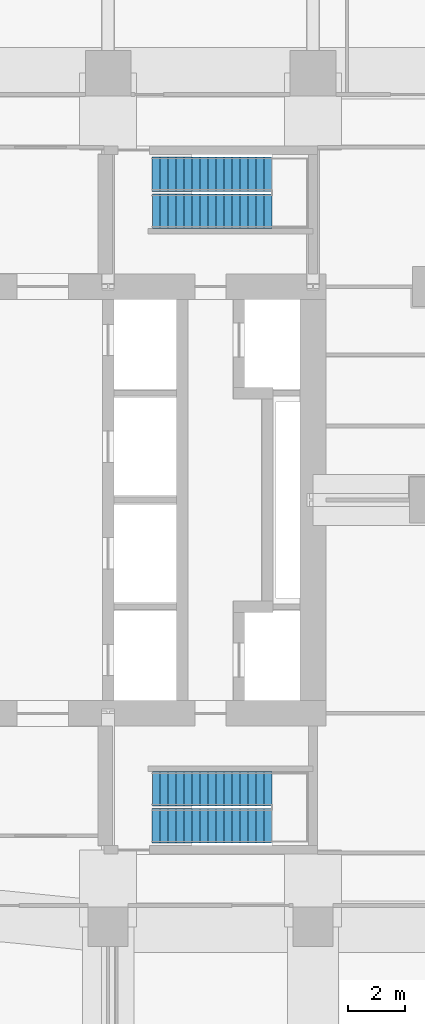
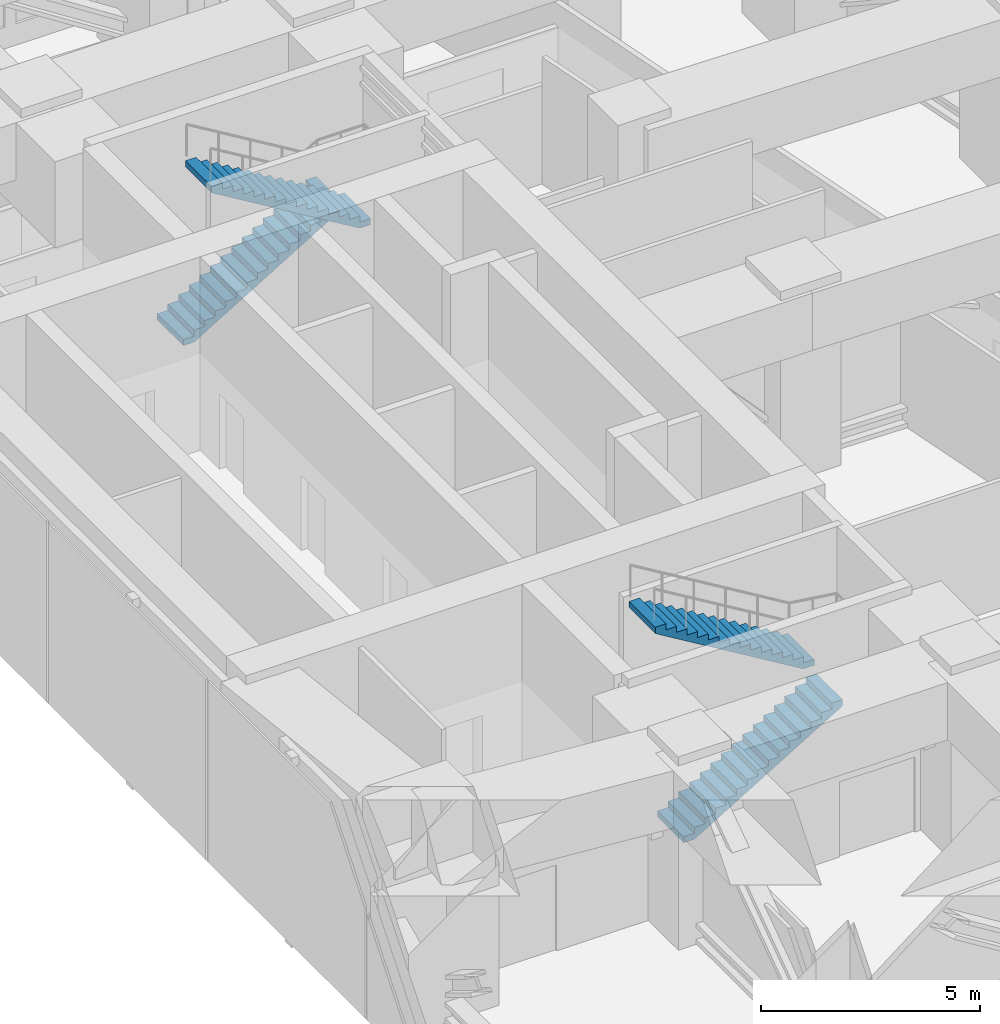
# One storey, part 8 of 9: 4 stair flights, 2 elements without a shape of their own.
"""IFC4 building model written with IfcOpenShell, lengths in metres."""

from ifc_helpers import new_model, si_unit, direction, frame, origin, place, context, subcontext, project, spatial, triangles, material, type_object, element, aggregate, save


model = new_model("IFC4")

# Units and contexts
model_context = context("Model", 3, precision=1e-05, world=origin(), true_north=direction((0.0, 1.0)))
body_context = subcontext(model_context, "Body", "Model", "MODEL_VIEW")
ifc_project = project(units=[si_unit("LENGTHUNIT", "METRE"), si_unit("AREAUNIT", "SQUARE_METRE"), si_unit("VOLUMEUNIT", "CUBIC_METRE"), si_unit("PLANEANGLEUNIT", "RADIAN"), si_unit("MASSUNIT", "GRAM", prefix="KILO")], contexts=[model_context])

# Site, building, storey
site_placement = place(None, origin())
site = spatial("IfcSite", under=ifc_project, at=site_placement, CompositionType="ELEMENT")
building_placement = place(site_placement, origin())
building = spatial("IfcBuilding", under=site, at=building_placement, Name="Sheger Commons Tower", CompositionType="ELEMENT")
storey_placement = place(building_placement, frame((0.0, 0.0, 246.199951171875)))
storey = spatial("IfcBuildingStorey", under=building, at=storey_placement, Name="L63", CompositionType="ELEMENT", Elevation=246.199951171875)

# Stair, stair flights
ifc_material_1 = material(Name="Concrete C35/45", Category="concrete")
stair_type = type_object("IfcStairType", Name="HALF-TURN STAIR 1200 RISE 5400", PredefinedType="HALF_TURN_STAIR", material=ifc_material_1)
stair_1_placement = place(storey_placement, origin())
stair_1 = element("IfcStair", 1, at=stair_1_placement, inside=storey, type_object=stair_type, Name="Stair S1 L63", PredefinedType="HALF_TURN_STAIR")
ifc_material_2 = material(Name="Concrete C35/45", Category="concrete")
stair_flight_type = type_object("IfcStairFlightType", Name="STAIR FLIGHT 1200 16 RISERS OF 169", PredefinedType="STRAIGHT", material=ifc_material_2)
stair_flight_1_placement = place(storey_placement, frame((23.14990234375, 11.050048828125, 0.0), z_axis=(0.0, 0.0, 1.0), x_axis=(1.0, 0.0, 0.0)))
stair_flight_1 = element("IfcStairFlight", 2, at=stair_flight_1_placement, type_object=stair_flight_type, Name="S1 flight 1", NumberOfRisers=16, NumberOfTreads=15, PredefinedType="STRAIGHT", RiserHeight=0.16875, TreadLength=0.28, context=body_context, shape_type="Tessellation", body=[
    triangles([(0.0, 0.5999755859375, 0.0), (0.0, 0.5999755859375, 0.168701171875), (0.280029296875, 0.5999755859375, 0.168701171875), (0.280029296875, 0.5999755859375, 0.33740234375), (0.56005859375, 0.5999755859375, 0.33740234375), (0.56005859375, 0.5999755859375, 0.50634765625), (0.840087890625, 0.5999755859375, 0.50634765625), (0.840087890625, 0.5999755859375, 0.675048828125), (1.1201171875, 0.5999755859375, 0.675048828125), (1.1201171875, 0.5999755859375, 0.84375), (1.39990234375, 0.5999755859375, 0.84375), (1.39990234375, 0.5999755859375, 1.012451171875), (1.679931640625, 0.5999755859375, 1.012451171875), (1.679931640625, 0.5999755859375, 1.18115234375), (1.9599609375, 0.5999755859375, 1.18115234375), (1.9599609375, 0.5999755859375, 1.35009765625), (2.239990234375, 0.5999755859375, 1.35009765625), (2.239990234375, 0.5999755859375, 1.518798828125), (2.52001953125, 0.5999755859375, 1.518798828125), (2.52001953125, 0.5999755859375, 1.6875), (2.800048828125, 0.5999755859375, 1.6875), (2.800048828125, 0.5999755859375, 1.856201171875), (3.080078125, 0.5999755859375, 1.856201171875), (3.080078125, 0.5999755859375, 2.02490234375), (3.360107421875, 0.5999755859375, 2.02490234375), (3.360107421875, 0.5999755859375, 2.19384765625), (3.639892578125, 0.5999755859375, 2.19384765625), (3.639892578125, 0.5999755859375, 2.362548828125), (3.919921875, 0.5999755859375, 2.362548828125), (3.919921875, 0.5999755859375, 2.53125), (4.199951171875, 0.5999755859375, 2.53125), (4.199951171875, 0.5999755859375, 2.356201171875), (0.29052734375, 0.5999755859375, 0.0), (0.0, -0.5999755859375, 0.0), (0.0, -0.5999755859375, 0.168701171875), (0.280029296875, -0.5999755859375, 0.168701171875), (0.280029296875, -0.5999755859375, 0.33740234375), (0.56005859375, -0.5999755859375, 0.33740234375), (0.56005859375, -0.5999755859375, 0.50634765625), (0.840087890625, -0.5999755859375, 0.50634765625), (0.840087890625, -0.5999755859375, 0.675048828125), (1.1201171875, -0.5999755859375, 0.675048828125), (1.1201171875, -0.5999755859375, 0.84375), (1.39990234375, -0.5999755859375, 0.84375), (1.39990234375, -0.5999755859375, 1.012451171875), (1.679931640625, -0.5999755859375, 1.012451171875), (1.679931640625, -0.5999755859375, 1.18115234375), (1.9599609375, -0.5999755859375, 1.18115234375), (1.9599609375, -0.5999755859375, 1.35009765625), (2.239990234375, -0.5999755859375, 1.35009765625), (2.239990234375, -0.5999755859375, 1.518798828125), (2.52001953125, -0.5999755859375, 1.518798828125), (2.52001953125, -0.5999755859375, 1.6875), (2.800048828125, -0.5999755859375, 1.6875), (2.800048828125, -0.5999755859375, 1.856201171875), (3.080078125, -0.5999755859375, 1.856201171875), (3.080078125, -0.5999755859375, 2.02490234375), (3.360107421875, -0.5999755859375, 2.02490234375), (3.360107421875, -0.5999755859375, 2.19384765625), (3.639892578125, -0.5999755859375, 2.19384765625), (3.639892578125, -0.5999755859375, 2.362548828125), (3.919921875, -0.5999755859375, 2.362548828125), (3.919921875, -0.5999755859375, 2.53125), (4.199951171875, -0.5999755859375, 2.53125), (4.199951171875, -0.5999755859375, 2.356201171875), (0.29052734375, -0.5999755859375, 0.0), (0.0, 0.0, 0.0843505859375), (0.1400146484375, 0.0, 0.168701171875), (0.280029296875, 0.0, 0.2530517578125), (0.4200439453125, 0.0, 0.33740234375), (0.56005859375, 0.0, 0.421875), (0.7000732421875, 0.0, 0.50634765625), (0.840087890625, 0.0, 0.5906982421875), (0.9801025390625, 0.0, 0.675048828125), (1.1201171875, 0.0, 0.7593994140625), (1.260009765625, 0.0, 0.84375), (1.39990234375, 0.0, 0.9281005859375), (1.5399169921875, 0.0, 1.012451171875), (1.679931640625, 0.0, 1.0968017578125), (1.8199462890625, 0.0, 1.18115234375), (1.9599609375, 0.0, 1.265625), (2.0999755859375, 0.0, 1.35009765625), (2.239990234375, 0.0, 1.4344482421875), (2.3800048828125, 0.0, 1.518798828125), (2.52001953125, 0.0, 1.6031494140625), (2.6600341796875, 0.0, 1.6875), (2.800048828125, 0.0, 1.7718505859375), (2.9400634765625, 0.0, 1.856201171875), (3.080078125, 0.0, 1.9405517578125), (3.2200927734375, 0.0, 2.02490234375), (3.360107421875, 0.0, 2.109375), (3.5, 0.0, 2.19384765625), (3.639892578125, 0.0, 2.2781982421875), (3.7799072265625, 0.0, 2.362548828125), (3.919921875, 0.0, 2.4468994140625), (4.0599365234375, 0.0, 2.53125), (4.199951171875, 0.0, 2.4437255859375), (2.2452392578125, 0.0, 1.1781005859375), (0.145263671875, 0.0, 0.0)], [[1, 32, 33], [34, 66, 65], [32, 30, 31], [65, 64, 63], [32, 29, 30], [65, 63, 62], [32, 28, 29], [65, 62, 61], [32, 27, 28], [65, 61, 60], [27, 25, 26], [60, 59, 58], [32, 25, 27], [65, 60, 58], [25, 23, 24], [58, 57, 56], [32, 23, 25], [65, 58, 56], [23, 21, 22], [56, 55, 54], [32, 21, 23], [65, 56, 54], [21, 19, 20], [54, 53, 52], [32, 19, 21], [65, 54, 52], [19, 17, 18], [52, 51, 50], [32, 17, 19], [65, 52, 50], [17, 15, 16], [50, 49, 48], [32, 15, 17], [65, 50, 48], [15, 13, 14], [48, 47, 46], [32, 13, 15], [65, 48, 46], [13, 11, 12], [46, 45, 44], [32, 11, 13], [65, 46, 44], [11, 9, 10], [44, 43, 42], [32, 9, 11], [65, 44, 42], [9, 7, 8], [42, 41, 40], [32, 7, 9], [65, 42, 40], [7, 5, 6], [40, 39, 38], [32, 5, 7], [65, 40, 38], [5, 3, 4], [38, 37, 36], [32, 3, 5], [65, 38, 36], [1, 3, 32], [34, 65, 36], [3, 1, 2], [36, 35, 34], [1, 67, 2], [2, 67, 35], [35, 67, 34], [34, 67, 1], [2, 68, 3], [3, 68, 36], [36, 68, 35], [35, 68, 2], [3, 69, 4], [4, 69, 37], [37, 69, 36], [36, 69, 3], [4, 70, 5], [5, 70, 38], [38, 70, 37], [37, 70, 4], [5, 71, 6], [6, 71, 39], [39, 71, 38], [38, 71, 5], [6, 72, 7], [7, 72, 40], [40, 72, 39], [39, 72, 6], [7, 73, 8], [8, 73, 41], [41, 73, 40], [40, 73, 7], [8, 74, 9], [9, 74, 42], [42, 74, 41], [41, 74, 8], [9, 75, 10], [10, 75, 43], [43, 75, 42], [42, 75, 9], [10, 76, 11], [11, 76, 44], [44, 76, 43], [43, 76, 10], [11, 77, 12], [12, 77, 45], [45, 77, 44], [44, 77, 11], [12, 78, 13], [13, 78, 46], [46, 78, 45], [45, 78, 12], [13, 79, 14], [14, 79, 47], [47, 79, 46], [46, 79, 13], [14, 80, 15], [15, 80, 48], [48, 80, 47], [47, 80, 14], [15, 81, 16], [16, 81, 49], [49, 81, 48], [48, 81, 15], [16, 82, 17], [17, 82, 50], [50, 82, 49], [49, 82, 16], [17, 83, 18], [18, 83, 51], [51, 83, 50], [50, 83, 17], [18, 84, 19], [19, 84, 52], [52, 84, 51], [51, 84, 18], [19, 85, 20], [20, 85, 53], [53, 85, 52], [52, 85, 19], [20, 86, 21], [21, 86, 54], [54, 86, 53], [53, 86, 20], [21, 87, 22], [22, 87, 55], [55, 87, 54], [54, 87, 21], [22, 88, 23], [23, 88, 56], [56, 88, 55], [55, 88, 22], [23, 89, 24], [24, 89, 57], [57, 89, 56], [56, 89, 23], [24, 90, 25], [25, 90, 58], [58, 90, 57], [57, 90, 24], [25, 91, 26], [26, 91, 59], [59, 91, 58], [58, 91, 25], [26, 92, 27], [27, 92, 60], [60, 92, 59], [59, 92, 26], [27, 93, 28], [28, 93, 61], [61, 93, 60], [60, 93, 27], [28, 94, 29], [29, 94, 62], [62, 94, 61], [61, 94, 28], [29, 95, 30], [30, 95, 63], [63, 95, 62], [62, 95, 29], [30, 96, 31], [31, 96, 64], [64, 96, 63], [63, 96, 30], [31, 97, 32], [32, 97, 65], [65, 97, 64], [64, 97, 31], [32, 98, 33], [33, 98, 66], [66, 98, 65], [65, 98, 32], [33, 99, 1], [1, 99, 34], [34, 99, 66], [66, 99, 33]], closed=True),
])
stair_flight_2_placement = place(storey_placement, frame((27.35009765625, 12.35009765625, 2.699951171875), z_axis=(0.0, 0.0, 1.0), x_axis=(-1.0, 0.0, 0.0)))
stair_flight_2 = element("IfcStairFlight", 3, at=stair_flight_2_placement, type_object=stair_flight_type, Name="S1 flight 2", NumberOfRisers=16, NumberOfTreads=15, PredefinedType="STRAIGHT", RiserHeight=0.16875, TreadLength=0.28, context=body_context, shape_type="Tessellation", body=[
    triangles([(0.0, 0.5999755859375, 0.0), (0.0, 0.5999755859375, 0.168701171875), (0.280029296875, 0.5999755859375, 0.168701171875), (0.280029296875, 0.5999755859375, 0.33740234375), (0.56005859375, 0.5999755859375, 0.33740234375), (0.56005859375, 0.5999755859375, 0.50634765625), (0.840087890625, 0.5999755859375, 0.50634765625), (0.840087890625, 0.5999755859375, 0.675048828125), (1.1201171875, 0.5999755859375, 0.675048828125), (1.1201171875, 0.5999755859375, 0.84375), (1.39990234375, 0.5999755859375, 0.84375), (1.39990234375, 0.5999755859375, 1.012451171875), (1.679931640625, 0.5999755859375, 1.012451171875), (1.679931640625, 0.5999755859375, 1.18115234375), (1.9599609375, 0.5999755859375, 1.18115234375), (1.9599609375, 0.5999755859375, 1.35009765625), (2.239990234375, 0.5999755859375, 1.35009765625), (2.239990234375, 0.5999755859375, 1.518798828125), (2.52001953125, 0.5999755859375, 1.518798828125), (2.52001953125, 0.5999755859375, 1.6875), (2.800048828125, 0.5999755859375, 1.6875), (2.800048828125, 0.5999755859375, 1.856201171875), (3.080078125, 0.5999755859375, 1.856201171875), (3.080078125, 0.5999755859375, 2.02490234375), (3.360107421875, 0.5999755859375, 2.02490234375), (3.360107421875, 0.5999755859375, 2.19384765625), (3.639892578125, 0.5999755859375, 2.19384765625), (3.639892578125, 0.5999755859375, 2.362548828125), (3.919921875, 0.5999755859375, 2.362548828125), (3.919921875, 0.5999755859375, 2.53125), (4.199951171875, 0.5999755859375, 2.53125), (4.199951171875, 0.5999755859375, 2.356201171875), (0.29052734375, 0.5999755859375, 0.0), (0.0, -0.5999755859375, 0.0), (0.0, -0.5999755859375, 0.168701171875), (0.280029296875, -0.5999755859375, 0.168701171875), (0.280029296875, -0.5999755859375, 0.33740234375), (0.56005859375, -0.5999755859375, 0.33740234375), (0.56005859375, -0.5999755859375, 0.50634765625), (0.840087890625, -0.5999755859375, 0.50634765625), (0.840087890625, -0.5999755859375, 0.675048828125), (1.1201171875, -0.5999755859375, 0.675048828125), (1.1201171875, -0.5999755859375, 0.84375), (1.39990234375, -0.5999755859375, 0.84375), (1.39990234375, -0.5999755859375, 1.012451171875), (1.679931640625, -0.5999755859375, 1.012451171875), (1.679931640625, -0.5999755859375, 1.18115234375), (1.9599609375, -0.5999755859375, 1.18115234375), (1.9599609375, -0.5999755859375, 1.35009765625), (2.239990234375, -0.5999755859375, 1.35009765625), (2.239990234375, -0.5999755859375, 1.518798828125), (2.52001953125, -0.5999755859375, 1.518798828125), (2.52001953125, -0.5999755859375, 1.6875), (2.800048828125, -0.5999755859375, 1.6875), (2.800048828125, -0.5999755859375, 1.856201171875), (3.080078125, -0.5999755859375, 1.856201171875), (3.080078125, -0.5999755859375, 2.02490234375), (3.360107421875, -0.5999755859375, 2.02490234375), (3.360107421875, -0.5999755859375, 2.19384765625), (3.639892578125, -0.5999755859375, 2.19384765625), (3.639892578125, -0.5999755859375, 2.362548828125), (3.919921875, -0.5999755859375, 2.362548828125), (3.919921875, -0.5999755859375, 2.53125), (4.199951171875, -0.5999755859375, 2.53125), (4.199951171875, -0.5999755859375, 2.356201171875), (0.29052734375, -0.5999755859375, 0.0), (0.0, 0.0, 0.0843505859375), (0.1400146484375, 0.0, 0.168701171875), (0.280029296875, 0.0, 0.2530517578125), (0.4200439453125, 0.0, 0.33740234375), (0.56005859375, 0.0, 0.421875), (0.7000732421875, 0.0, 0.50634765625), (0.840087890625, 0.0, 0.5906982421875), (0.9801025390625, 0.0, 0.675048828125), (1.1201171875, 0.0, 0.7593994140625), (1.260009765625, 0.0, 0.84375), (1.39990234375, 0.0, 0.9281005859375), (1.5399169921875, 0.0, 1.012451171875), (1.679931640625, 0.0, 1.0968017578125), (1.8199462890625, 0.0, 1.18115234375), (1.9599609375, 0.0, 1.265625), (2.0999755859375, 0.0, 1.35009765625), (2.239990234375, 0.0, 1.4344482421875), (2.3800048828125, 0.0, 1.518798828125), (2.52001953125, 0.0, 1.6031494140625), (2.6600341796875, 0.0, 1.6875), (2.800048828125, 0.0, 1.7718505859375), (2.9400634765625, 0.0, 1.856201171875), (3.080078125, 0.0, 1.9405517578125), (3.2200927734375, 0.0, 2.02490234375), (3.360107421875, 0.0, 2.109375), (3.5, 0.0, 2.19384765625), (3.639892578125, 0.0, 2.2781982421875), (3.7799072265625, 0.0, 2.362548828125), (3.919921875, 0.0, 2.4468994140625), (4.0599365234375, 0.0, 2.53125), (4.199951171875, 0.0, 2.4437255859375), (2.2452392578125, 0.0, 1.1781005859375), (0.145263671875, 0.0, 0.0)], [[1, 32, 33], [34, 66, 65], [32, 30, 31], [65, 64, 63], [32, 29, 30], [65, 63, 62], [32, 28, 29], [65, 62, 61], [32, 27, 28], [65, 61, 60], [27, 25, 26], [60, 59, 58], [32, 25, 27], [65, 60, 58], [25, 23, 24], [58, 57, 56], [32, 23, 25], [65, 58, 56], [23, 21, 22], [56, 55, 54], [32, 21, 23], [65, 56, 54], [21, 19, 20], [54, 53, 52], [32, 19, 21], [65, 54, 52], [19, 17, 18], [52, 51, 50], [32, 17, 19], [65, 52, 50], [17, 15, 16], [50, 49, 48], [32, 15, 17], [65, 50, 48], [15, 13, 14], [48, 47, 46], [32, 13, 15], [65, 48, 46], [13, 11, 12], [46, 45, 44], [32, 11, 13], [65, 46, 44], [11, 9, 10], [44, 43, 42], [32, 9, 11], [65, 44, 42], [9, 7, 8], [42, 41, 40], [32, 7, 9], [65, 42, 40], [7, 5, 6], [40, 39, 38], [32, 5, 7], [65, 40, 38], [5, 3, 4], [38, 37, 36], [32, 3, 5], [65, 38, 36], [1, 3, 32], [34, 65, 36], [3, 1, 2], [36, 35, 34], [1, 67, 2], [2, 67, 35], [35, 67, 34], [34, 67, 1], [2, 68, 3], [3, 68, 36], [36, 68, 35], [35, 68, 2], [3, 69, 4], [4, 69, 37], [37, 69, 36], [36, 69, 3], [4, 70, 5], [5, 70, 38], [38, 70, 37], [37, 70, 4], [5, 71, 6], [6, 71, 39], [39, 71, 38], [38, 71, 5], [6, 72, 7], [7, 72, 40], [40, 72, 39], [39, 72, 6], [7, 73, 8], [8, 73, 41], [41, 73, 40], [40, 73, 7], [8, 74, 9], [9, 74, 42], [42, 74, 41], [41, 74, 8], [9, 75, 10], [10, 75, 43], [43, 75, 42], [42, 75, 9], [10, 76, 11], [11, 76, 44], [44, 76, 43], [43, 76, 10], [11, 77, 12], [12, 77, 45], [45, 77, 44], [44, 77, 11], [12, 78, 13], [13, 78, 46], [46, 78, 45], [45, 78, 12], [13, 79, 14], [14, 79, 47], [47, 79, 46], [46, 79, 13], [14, 80, 15], [15, 80, 48], [48, 80, 47], [47, 80, 14], [15, 81, 16], [16, 81, 49], [49, 81, 48], [48, 81, 15], [16, 82, 17], [17, 82, 50], [50, 82, 49], [49, 82, 16], [17, 83, 18], [18, 83, 51], [51, 83, 50], [50, 83, 17], [18, 84, 19], [19, 84, 52], [52, 84, 51], [51, 84, 18], [19, 85, 20], [20, 85, 53], [53, 85, 52], [52, 85, 19], [20, 86, 21], [21, 86, 54], [54, 86, 53], [53, 86, 20], [21, 87, 22], [22, 87, 55], [55, 87, 54], [54, 87, 21], [22, 88, 23], [23, 88, 56], [56, 88, 55], [55, 88, 22], [23, 89, 24], [24, 89, 57], [57, 89, 56], [56, 89, 23], [24, 90, 25], [25, 90, 58], [58, 90, 57], [57, 90, 24], [25, 91, 26], [26, 91, 59], [59, 91, 58], [58, 91, 25], [26, 92, 27], [27, 92, 60], [60, 92, 59], [59, 92, 26], [27, 93, 28], [28, 93, 61], [61, 93, 60], [60, 93, 27], [28, 94, 29], [29, 94, 62], [62, 94, 61], [61, 94, 28], [29, 95, 30], [30, 95, 63], [63, 95, 62], [62, 95, 29], [30, 96, 31], [31, 96, 64], [64, 96, 63], [63, 96, 30], [31, 97, 32], [32, 97, 65], [65, 97, 64], [64, 97, 31], [32, 98, 33], [33, 98, 66], [66, 98, 65], [65, 98, 32], [33, 99, 1], [1, 99, 34], [34, 99, 66], [66, 99, 33]], closed=True),
])
aggregate(stair_1, [stair_flight_1, stair_flight_2])

stair_2_placement = place(storey_placement, origin())
stair_2 = element("IfcStair", 4, at=stair_2_placement, inside=storey, type_object=stair_type, Name="Stair S2 L63", PredefinedType="HALF_TURN_STAIR")
stair_flight_3_placement = place(storey_placement, frame((23.14990234375, 33.949951171875, 0.0), z_axis=(0.0, 0.0, 1.0), x_axis=(1.0, 0.0, 0.0)))
stair_flight_3 = element("IfcStairFlight", 5, at=stair_flight_3_placement, type_object=stair_flight_type, Name="S2 flight 1", NumberOfRisers=16, NumberOfTreads=15, PredefinedType="STRAIGHT", RiserHeight=0.16875, TreadLength=0.28, context=body_context, shape_type="Tessellation", body=[
    triangles([(0.0, 0.5999755859375, 0.0), (0.0, 0.5999755859375, 0.168701171875), (0.280029296875, 0.5999755859375, 0.168701171875), (0.280029296875, 0.5999755859375, 0.33740234375), (0.56005859375, 0.5999755859375, 0.33740234375), (0.56005859375, 0.5999755859375, 0.50634765625), (0.840087890625, 0.5999755859375, 0.50634765625), (0.840087890625, 0.5999755859375, 0.675048828125), (1.1201171875, 0.5999755859375, 0.675048828125), (1.1201171875, 0.5999755859375, 0.84375), (1.39990234375, 0.5999755859375, 0.84375), (1.39990234375, 0.5999755859375, 1.012451171875), (1.679931640625, 0.5999755859375, 1.012451171875), (1.679931640625, 0.5999755859375, 1.18115234375), (1.9599609375, 0.5999755859375, 1.18115234375), (1.9599609375, 0.5999755859375, 1.35009765625), (2.239990234375, 0.5999755859375, 1.35009765625), (2.239990234375, 0.5999755859375, 1.518798828125), (2.52001953125, 0.5999755859375, 1.518798828125), (2.52001953125, 0.5999755859375, 1.6875), (2.800048828125, 0.5999755859375, 1.6875), (2.800048828125, 0.5999755859375, 1.856201171875), (3.080078125, 0.5999755859375, 1.856201171875), (3.080078125, 0.5999755859375, 2.02490234375), (3.360107421875, 0.5999755859375, 2.02490234375), (3.360107421875, 0.5999755859375, 2.19384765625), (3.639892578125, 0.5999755859375, 2.19384765625), (3.639892578125, 0.5999755859375, 2.362548828125), (3.919921875, 0.5999755859375, 2.362548828125), (3.919921875, 0.5999755859375, 2.53125), (4.199951171875, 0.5999755859375, 2.53125), (4.199951171875, 0.5999755859375, 2.356201171875), (0.29052734375, 0.5999755859375, 0.0), (0.0, -0.5999755859375, 0.0), (0.0, -0.5999755859375, 0.168701171875), (0.280029296875, -0.5999755859375, 0.168701171875), (0.280029296875, -0.5999755859375, 0.33740234375), (0.56005859375, -0.5999755859375, 0.33740234375), (0.56005859375, -0.5999755859375, 0.50634765625), (0.840087890625, -0.5999755859375, 0.50634765625), (0.840087890625, -0.5999755859375, 0.675048828125), (1.1201171875, -0.5999755859375, 0.675048828125), (1.1201171875, -0.5999755859375, 0.84375), (1.39990234375, -0.5999755859375, 0.84375), (1.39990234375, -0.5999755859375, 1.012451171875), (1.679931640625, -0.5999755859375, 1.012451171875), (1.679931640625, -0.5999755859375, 1.18115234375), (1.9599609375, -0.5999755859375, 1.18115234375), (1.9599609375, -0.5999755859375, 1.35009765625), (2.239990234375, -0.5999755859375, 1.35009765625), (2.239990234375, -0.5999755859375, 1.518798828125), (2.52001953125, -0.5999755859375, 1.518798828125), (2.52001953125, -0.5999755859375, 1.6875), (2.800048828125, -0.5999755859375, 1.6875), (2.800048828125, -0.5999755859375, 1.856201171875), (3.080078125, -0.5999755859375, 1.856201171875), (3.080078125, -0.5999755859375, 2.02490234375), (3.360107421875, -0.5999755859375, 2.02490234375), (3.360107421875, -0.5999755859375, 2.19384765625), (3.639892578125, -0.5999755859375, 2.19384765625), (3.639892578125, -0.5999755859375, 2.362548828125), (3.919921875, -0.5999755859375, 2.362548828125), (3.919921875, -0.5999755859375, 2.53125), (4.199951171875, -0.5999755859375, 2.53125), (4.199951171875, -0.5999755859375, 2.356201171875), (0.29052734375, -0.5999755859375, 0.0), (0.0, 0.0, 0.0843505859375), (0.1400146484375, 0.0, 0.168701171875), (0.280029296875, 0.0, 0.2530517578125), (0.4200439453125, 0.0, 0.33740234375), (0.56005859375, 0.0, 0.421875), (0.7000732421875, 0.0, 0.50634765625), (0.840087890625, 0.0, 0.5906982421875), (0.9801025390625, 0.0, 0.675048828125), (1.1201171875, 0.0, 0.7593994140625), (1.260009765625, 0.0, 0.84375), (1.39990234375, 0.0, 0.9281005859375), (1.5399169921875, 0.0, 1.012451171875), (1.679931640625, 0.0, 1.0968017578125), (1.8199462890625, 0.0, 1.18115234375), (1.9599609375, 0.0, 1.265625), (2.0999755859375, 0.0, 1.35009765625), (2.239990234375, 0.0, 1.4344482421875), (2.3800048828125, 0.0, 1.518798828125), (2.52001953125, 0.0, 1.6031494140625), (2.6600341796875, 0.0, 1.6875), (2.800048828125, 0.0, 1.7718505859375), (2.9400634765625, 0.0, 1.856201171875), (3.080078125, 0.0, 1.9405517578125), (3.2200927734375, 0.0, 2.02490234375), (3.360107421875, 0.0, 2.109375), (3.5, 0.0, 2.19384765625), (3.639892578125, 0.0, 2.2781982421875), (3.7799072265625, 0.0, 2.362548828125), (3.919921875, 0.0, 2.4468994140625), (4.0599365234375, 0.0, 2.53125), (4.199951171875, 0.0, 2.4437255859375), (2.2452392578125, 0.0, 1.1781005859375), (0.145263671875, 0.0, 0.0)], [[1, 32, 33], [34, 66, 65], [32, 30, 31], [65, 64, 63], [32, 29, 30], [65, 63, 62], [32, 28, 29], [65, 62, 61], [32, 27, 28], [65, 61, 60], [27, 25, 26], [60, 59, 58], [32, 25, 27], [65, 60, 58], [25, 23, 24], [58, 57, 56], [32, 23, 25], [65, 58, 56], [23, 21, 22], [56, 55, 54], [32, 21, 23], [65, 56, 54], [21, 19, 20], [54, 53, 52], [32, 19, 21], [65, 54, 52], [19, 17, 18], [52, 51, 50], [32, 17, 19], [65, 52, 50], [17, 15, 16], [50, 49, 48], [32, 15, 17], [65, 50, 48], [15, 13, 14], [48, 47, 46], [32, 13, 15], [65, 48, 46], [13, 11, 12], [46, 45, 44], [32, 11, 13], [65, 46, 44], [11, 9, 10], [44, 43, 42], [32, 9, 11], [65, 44, 42], [9, 7, 8], [42, 41, 40], [32, 7, 9], [65, 42, 40], [7, 5, 6], [40, 39, 38], [32, 5, 7], [65, 40, 38], [5, 3, 4], [38, 37, 36], [32, 3, 5], [65, 38, 36], [1, 3, 32], [34, 65, 36], [3, 1, 2], [36, 35, 34], [1, 67, 2], [2, 67, 35], [35, 67, 34], [34, 67, 1], [2, 68, 3], [3, 68, 36], [36, 68, 35], [35, 68, 2], [3, 69, 4], [4, 69, 37], [37, 69, 36], [36, 69, 3], [4, 70, 5], [5, 70, 38], [38, 70, 37], [37, 70, 4], [5, 71, 6], [6, 71, 39], [39, 71, 38], [38, 71, 5], [6, 72, 7], [7, 72, 40], [40, 72, 39], [39, 72, 6], [7, 73, 8], [8, 73, 41], [41, 73, 40], [40, 73, 7], [8, 74, 9], [9, 74, 42], [42, 74, 41], [41, 74, 8], [9, 75, 10], [10, 75, 43], [43, 75, 42], [42, 75, 9], [10, 76, 11], [11, 76, 44], [44, 76, 43], [43, 76, 10], [11, 77, 12], [12, 77, 45], [45, 77, 44], [44, 77, 11], [12, 78, 13], [13, 78, 46], [46, 78, 45], [45, 78, 12], [13, 79, 14], [14, 79, 47], [47, 79, 46], [46, 79, 13], [14, 80, 15], [15, 80, 48], [48, 80, 47], [47, 80, 14], [15, 81, 16], [16, 81, 49], [49, 81, 48], [48, 81, 15], [16, 82, 17], [17, 82, 50], [50, 82, 49], [49, 82, 16], [17, 83, 18], [18, 83, 51], [51, 83, 50], [50, 83, 17], [18, 84, 19], [19, 84, 52], [52, 84, 51], [51, 84, 18], [19, 85, 20], [20, 85, 53], [53, 85, 52], [52, 85, 19], [20, 86, 21], [21, 86, 54], [54, 86, 53], [53, 86, 20], [21, 87, 22], [22, 87, 55], [55, 87, 54], [54, 87, 21], [22, 88, 23], [23, 88, 56], [56, 88, 55], [55, 88, 22], [23, 89, 24], [24, 89, 57], [57, 89, 56], [56, 89, 23], [24, 90, 25], [25, 90, 58], [58, 90, 57], [57, 90, 24], [25, 91, 26], [26, 91, 59], [59, 91, 58], [58, 91, 25], [26, 92, 27], [27, 92, 60], [60, 92, 59], [59, 92, 26], [27, 93, 28], [28, 93, 61], [61, 93, 60], [60, 93, 27], [28, 94, 29], [29, 94, 62], [62, 94, 61], [61, 94, 28], [29, 95, 30], [30, 95, 63], [63, 95, 62], [62, 95, 29], [30, 96, 31], [31, 96, 64], [64, 96, 63], [63, 96, 30], [31, 97, 32], [32, 97, 65], [65, 97, 64], [64, 97, 31], [32, 98, 33], [33, 98, 66], [66, 98, 65], [65, 98, 32], [33, 99, 1], [1, 99, 34], [34, 99, 66], [66, 99, 33]], closed=True),
])
stair_flight_4_placement = place(storey_placement, frame((27.35009765625, 32.64990234375, 2.699951171875), z_axis=(0.0, 0.0, 1.0), x_axis=(-1.0, 0.0, 0.0)))
stair_flight_4 = element("IfcStairFlight", 6, at=stair_flight_4_placement, type_object=stair_flight_type, Name="S2 flight 2", NumberOfRisers=16, NumberOfTreads=15, PredefinedType="STRAIGHT", RiserHeight=0.16875, TreadLength=0.28, context=body_context, shape_type="Tessellation", body=[
    triangles([(0.0, 0.5999755859375, 0.0), (0.0, 0.5999755859375, 0.168701171875), (0.280029296875, 0.5999755859375, 0.168701171875), (0.280029296875, 0.5999755859375, 0.33740234375), (0.56005859375, 0.5999755859375, 0.33740234375), (0.56005859375, 0.5999755859375, 0.50634765625), (0.840087890625, 0.5999755859375, 0.50634765625), (0.840087890625, 0.5999755859375, 0.675048828125), (1.1201171875, 0.5999755859375, 0.675048828125), (1.1201171875, 0.5999755859375, 0.84375), (1.39990234375, 0.5999755859375, 0.84375), (1.39990234375, 0.5999755859375, 1.012451171875), (1.679931640625, 0.5999755859375, 1.012451171875), (1.679931640625, 0.5999755859375, 1.18115234375), (1.9599609375, 0.5999755859375, 1.18115234375), (1.9599609375, 0.5999755859375, 1.35009765625), (2.239990234375, 0.5999755859375, 1.35009765625), (2.239990234375, 0.5999755859375, 1.518798828125), (2.52001953125, 0.5999755859375, 1.518798828125), (2.52001953125, 0.5999755859375, 1.6875), (2.800048828125, 0.5999755859375, 1.6875), (2.800048828125, 0.5999755859375, 1.856201171875), (3.080078125, 0.5999755859375, 1.856201171875), (3.080078125, 0.5999755859375, 2.02490234375), (3.360107421875, 0.5999755859375, 2.02490234375), (3.360107421875, 0.5999755859375, 2.19384765625), (3.639892578125, 0.5999755859375, 2.19384765625), (3.639892578125, 0.5999755859375, 2.362548828125), (3.919921875, 0.5999755859375, 2.362548828125), (3.919921875, 0.5999755859375, 2.53125), (4.199951171875, 0.5999755859375, 2.53125), (4.199951171875, 0.5999755859375, 2.356201171875), (0.29052734375, 0.5999755859375, 0.0), (0.0, -0.5999755859375, 0.0), (0.0, -0.5999755859375, 0.168701171875), (0.280029296875, -0.5999755859375, 0.168701171875), (0.280029296875, -0.5999755859375, 0.33740234375), (0.56005859375, -0.5999755859375, 0.33740234375), (0.56005859375, -0.5999755859375, 0.50634765625), (0.840087890625, -0.5999755859375, 0.50634765625), (0.840087890625, -0.5999755859375, 0.675048828125), (1.1201171875, -0.5999755859375, 0.675048828125), (1.1201171875, -0.5999755859375, 0.84375), (1.39990234375, -0.5999755859375, 0.84375), (1.39990234375, -0.5999755859375, 1.012451171875), (1.679931640625, -0.5999755859375, 1.012451171875), (1.679931640625, -0.5999755859375, 1.18115234375), (1.9599609375, -0.5999755859375, 1.18115234375), (1.9599609375, -0.5999755859375, 1.35009765625), (2.239990234375, -0.5999755859375, 1.35009765625), (2.239990234375, -0.5999755859375, 1.518798828125), (2.52001953125, -0.5999755859375, 1.518798828125), (2.52001953125, -0.5999755859375, 1.6875), (2.800048828125, -0.5999755859375, 1.6875), (2.800048828125, -0.5999755859375, 1.856201171875), (3.080078125, -0.5999755859375, 1.856201171875), (3.080078125, -0.5999755859375, 2.02490234375), (3.360107421875, -0.5999755859375, 2.02490234375), (3.360107421875, -0.5999755859375, 2.19384765625), (3.639892578125, -0.5999755859375, 2.19384765625), (3.639892578125, -0.5999755859375, 2.362548828125), (3.919921875, -0.5999755859375, 2.362548828125), (3.919921875, -0.5999755859375, 2.53125), (4.199951171875, -0.5999755859375, 2.53125), (4.199951171875, -0.5999755859375, 2.356201171875), (0.29052734375, -0.5999755859375, 0.0), (0.0, 0.0, 0.0843505859375), (0.1400146484375, 0.0, 0.168701171875), (0.280029296875, 0.0, 0.2530517578125), (0.4200439453125, 0.0, 0.33740234375), (0.56005859375, 0.0, 0.421875), (0.7000732421875, 0.0, 0.50634765625), (0.840087890625, 0.0, 0.5906982421875), (0.9801025390625, 0.0, 0.675048828125), (1.1201171875, 0.0, 0.7593994140625), (1.260009765625, 0.0, 0.84375), (1.39990234375, 0.0, 0.9281005859375), (1.5399169921875, 0.0, 1.012451171875), (1.679931640625, 0.0, 1.0968017578125), (1.8199462890625, 0.0, 1.18115234375), (1.9599609375, 0.0, 1.265625), (2.0999755859375, 0.0, 1.35009765625), (2.239990234375, 0.0, 1.4344482421875), (2.3800048828125, 0.0, 1.518798828125), (2.52001953125, 0.0, 1.6031494140625), (2.6600341796875, 0.0, 1.6875), (2.800048828125, 0.0, 1.7718505859375), (2.9400634765625, 0.0, 1.856201171875), (3.080078125, 0.0, 1.9405517578125), (3.2200927734375, 0.0, 2.02490234375), (3.360107421875, 0.0, 2.109375), (3.5, 0.0, 2.19384765625), (3.639892578125, 0.0, 2.2781982421875), (3.7799072265625, 0.0, 2.362548828125), (3.919921875, 0.0, 2.4468994140625), (4.0599365234375, 0.0, 2.53125), (4.199951171875, 0.0, 2.4437255859375), (2.2452392578125, 0.0, 1.1781005859375), (0.145263671875, 0.0, 0.0)], [[1, 32, 33], [34, 66, 65], [32, 30, 31], [65, 64, 63], [32, 29, 30], [65, 63, 62], [32, 28, 29], [65, 62, 61], [32, 27, 28], [65, 61, 60], [27, 25, 26], [60, 59, 58], [32, 25, 27], [65, 60, 58], [25, 23, 24], [58, 57, 56], [32, 23, 25], [65, 58, 56], [23, 21, 22], [56, 55, 54], [32, 21, 23], [65, 56, 54], [21, 19, 20], [54, 53, 52], [32, 19, 21], [65, 54, 52], [19, 17, 18], [52, 51, 50], [32, 17, 19], [65, 52, 50], [17, 15, 16], [50, 49, 48], [32, 15, 17], [65, 50, 48], [15, 13, 14], [48, 47, 46], [32, 13, 15], [65, 48, 46], [13, 11, 12], [46, 45, 44], [32, 11, 13], [65, 46, 44], [11, 9, 10], [44, 43, 42], [32, 9, 11], [65, 44, 42], [9, 7, 8], [42, 41, 40], [32, 7, 9], [65, 42, 40], [7, 5, 6], [40, 39, 38], [32, 5, 7], [65, 40, 38], [5, 3, 4], [38, 37, 36], [32, 3, 5], [65, 38, 36], [1, 3, 32], [34, 65, 36], [3, 1, 2], [36, 35, 34], [1, 67, 2], [2, 67, 35], [35, 67, 34], [34, 67, 1], [2, 68, 3], [3, 68, 36], [36, 68, 35], [35, 68, 2], [3, 69, 4], [4, 69, 37], [37, 69, 36], [36, 69, 3], [4, 70, 5], [5, 70, 38], [38, 70, 37], [37, 70, 4], [5, 71, 6], [6, 71, 39], [39, 71, 38], [38, 71, 5], [6, 72, 7], [7, 72, 40], [40, 72, 39], [39, 72, 6], [7, 73, 8], [8, 73, 41], [41, 73, 40], [40, 73, 7], [8, 74, 9], [9, 74, 42], [42, 74, 41], [41, 74, 8], [9, 75, 10], [10, 75, 43], [43, 75, 42], [42, 75, 9], [10, 76, 11], [11, 76, 44], [44, 76, 43], [43, 76, 10], [11, 77, 12], [12, 77, 45], [45, 77, 44], [44, 77, 11], [12, 78, 13], [13, 78, 46], [46, 78, 45], [45, 78, 12], [13, 79, 14], [14, 79, 47], [47, 79, 46], [46, 79, 13], [14, 80, 15], [15, 80, 48], [48, 80, 47], [47, 80, 14], [15, 81, 16], [16, 81, 49], [49, 81, 48], [48, 81, 15], [16, 82, 17], [17, 82, 50], [50, 82, 49], [49, 82, 16], [17, 83, 18], [18, 83, 51], [51, 83, 50], [50, 83, 17], [18, 84, 19], [19, 84, 52], [52, 84, 51], [51, 84, 18], [19, 85, 20], [20, 85, 53], [53, 85, 52], [52, 85, 19], [20, 86, 21], [21, 86, 54], [54, 86, 53], [53, 86, 20], [21, 87, 22], [22, 87, 55], [55, 87, 54], [54, 87, 21], [22, 88, 23], [23, 88, 56], [56, 88, 55], [55, 88, 22], [23, 89, 24], [24, 89, 57], [57, 89, 56], [56, 89, 23], [24, 90, 25], [25, 90, 58], [58, 90, 57], [57, 90, 24], [25, 91, 26], [26, 91, 59], [59, 91, 58], [58, 91, 25], [26, 92, 27], [27, 92, 60], [60, 92, 59], [59, 92, 26], [27, 93, 28], [28, 93, 61], [61, 93, 60], [60, 93, 27], [28, 94, 29], [29, 94, 62], [62, 94, 61], [61, 94, 28], [29, 95, 30], [30, 95, 63], [63, 95, 62], [62, 95, 29], [30, 96, 31], [31, 96, 64], [64, 96, 63], [63, 96, 30], [31, 97, 32], [32, 97, 65], [65, 97, 64], [64, 97, 31], [32, 98, 33], [33, 98, 66], [66, 98, 65], [65, 98, 32], [33, 99, 1], [1, 99, 34], [34, 99, 66], [66, 99, 33]], closed=True),
])
aggregate(stair_2, [stair_flight_3, stair_flight_4])

save(model, "model.ifc")
